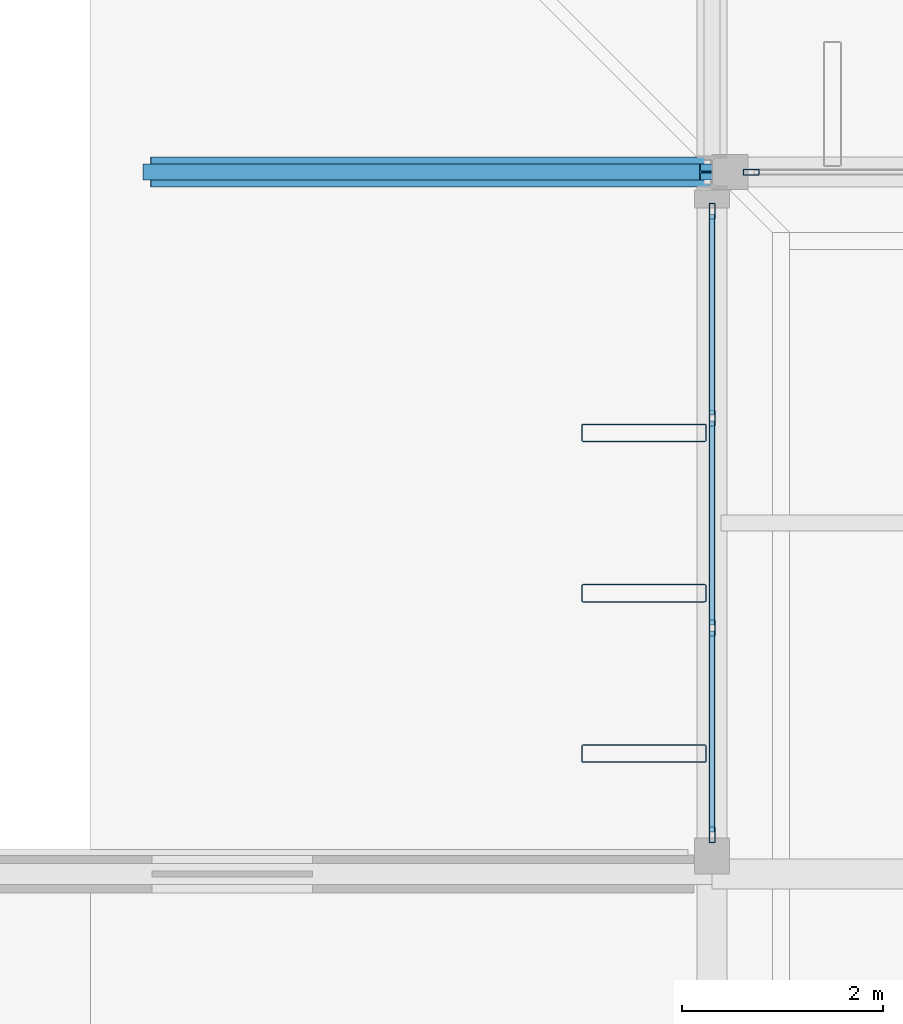
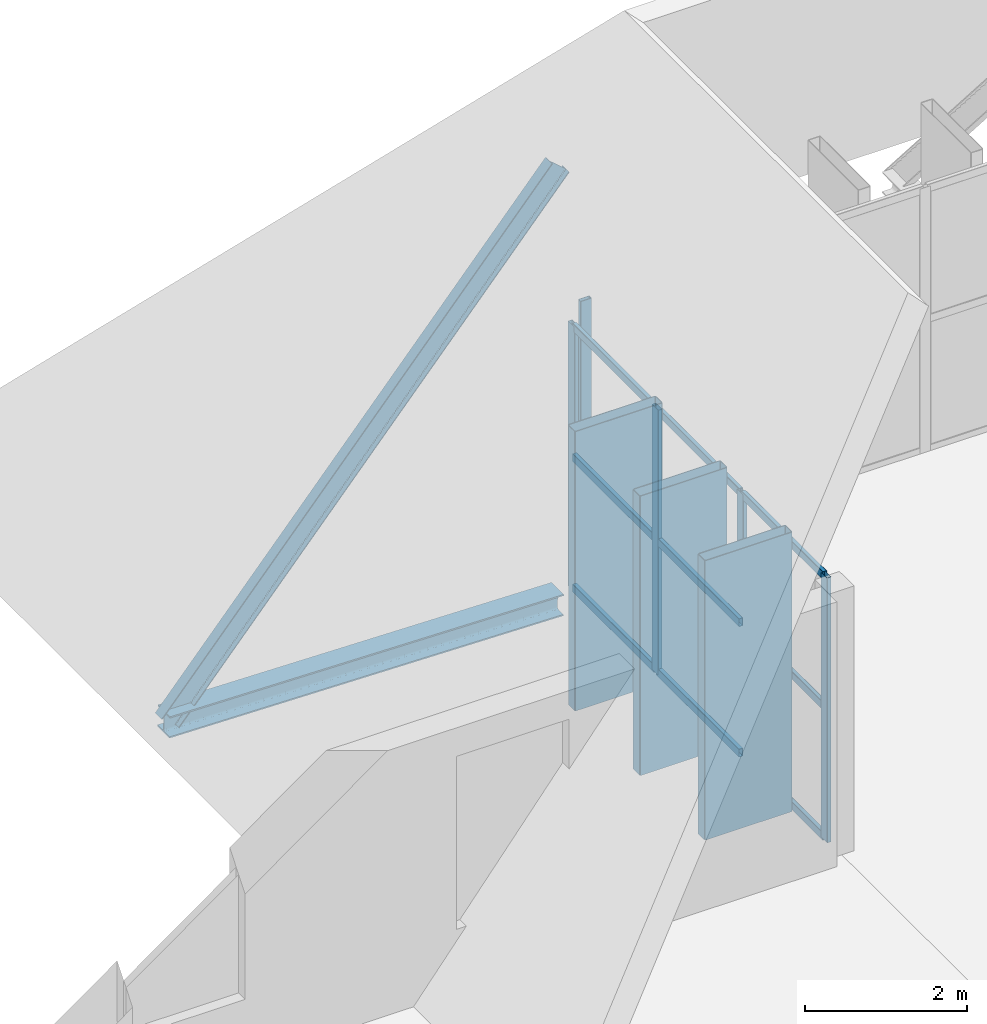
# One storey, part 23 of 93: 18 members, 1 beam, 2 elements without a shape of their own.
"""IFC4 building model written with IfcOpenShell, lengths in metres."""

import ifcopenshell
import ifcopenshell.guid

model = None  # the IFC model being written
_history = None  # IfcOwnerHistory: only IFC2X3 demands one
_inside = {}  # id of a spatial element -> (the spatial element, [elements in it])
_under = {}  # id of a project, library or spatial element -> (it, [spatial elements below it])
_declared = {}  # id of a project -> (the project, [libraries it declares])
_typed = {}  # id of a type object -> (the type object, [elements of that type])
_made_of = {}  # id of a material, layer set ... -> (it, [elements and type objects made of it])


def new_model(schema):
    """Start an empty IFC model of exactly this schema.

    Asked for "IFC4X3", IfcOpenShell would pick the latest addendum, in which some entities
    have other attributes; the version numbers below select the first issue.
    IFC2X3 requires an IfcOwnerHistory on every rooted entity: one is made here for all.
    """
    global model, _history
    if schema == "IFC4X3":
        model = ifcopenshell.file(schema_version=(4, 3, 0, 0))
    else:
        model = ifcopenshell.file(schema=schema)
    _inside.clear()
    _under.clear()
    _declared.clear()
    _typed.clear()
    _made_of.clear()
    _history = None
    if model.schema == "IFC2X3":
        org = make("IfcOrganization", Name="unknown")
        user = make(
            "IfcPersonAndOrganization",
            ThePerson=make("IfcPerson", FamilyName="unknown"),
            TheOrganization=org,
        )
        app = make(
            "IfcApplication",
            ApplicationDeveloper=org,
            Version="unknown",
            ApplicationFullName="unknown",
            ApplicationIdentifier="unknown",
        )
        _history = make(
            "IfcOwnerHistory",
            OwningUser=user,
            OwningApplication=app,
            ChangeAction="ADDED",
            CreationDate=0,
        )
    return model


def make(cls, **values):
    """One entity of the class cls with the attributes given. An attribute that is None is left unset."""
    return model.create_entity(
        cls, **{name: value for name, value in values.items() if value is not None}
    )


def rooted(cls, **values):
    """An entity with a GlobalId (a new one), such as an element, a storey or a relation."""
    return make(cls, GlobalId=ifcopenshell.guid.new(), OwnerHistory=_history, **values)


def si_unit(unit_type, name, prefix=None):
    """IfcSIUnit, for example si_unit("LENGTHUNIT", "METRE", prefix="MILLI")."""
    return make("IfcSIUnit", UnitType=unit_type, Prefix=prefix, Name=name)


def assignment(units):
    """IfcUnitAssignment: the units of a project."""
    return None if units is None else make("IfcUnitAssignment", Units=units)


def point(xyz):
    """IfcCartesianPoint."""
    return None if xyz is None else make("IfcCartesianPoint", Coordinates=xyz)


def direction(xyz):
    """IfcDirection."""
    return None if xyz is None else make("IfcDirection", DirectionRatios=xyz)


def frame(location, z_axis=None, x_axis=None):
    """IfcAxis2Placement3D, a coordinate frame: its origin and axes. An axis left out is left unset."""
    return make(
        "IfcAxis2Placement3D",
        Location=point(location),
        Axis=direction(z_axis),
        RefDirection=direction(x_axis),
    )


def frame_2d(location, x_axis=None):
    """IfcAxis2Placement2D, a coordinate frame in the plane: its origin and x axis."""
    return make(
        "IfcAxis2Placement2D", Location=point(location), RefDirection=direction(x_axis)
    )


def origin():
    """The frame at (0, 0, 0) with its axes left unset."""
    return frame((0.0, 0.0, 0.0))


def origin_2d():
    """The frame at (0, 0) in the plane with its x axis left unset."""
    return frame_2d((0.0, 0.0))


def place(relative_to, where):
    """IfcLocalPlacement: puts the frame where relative to a parent placement (None: the world)."""
    return make(
        "IfcLocalPlacement", PlacementRelTo=relative_to, RelativePlacement=where
    )


def context(
    kind, dimensions, precision=None, world=None, true_north=None, identifier=None
):
    """IfcGeometricRepresentationContext, for example the 3D "Model" context."""
    return make(
        "IfcGeometricRepresentationContext",
        ContextIdentifier=identifier,
        ContextType=kind,
        CoordinateSpaceDimension=dimensions,
        Precision=precision,
        WorldCoordinateSystem=world,
        TrueNorth=true_north,
    )


def subcontext(parent, identifier, kind, view, scale=None):
    """IfcGeometricRepresentationSubContext, for example "Body" below "Model"."""
    return make(
        "IfcGeometricRepresentationSubContext",
        ContextIdentifier=identifier,
        ContextType=kind,
        ParentContext=parent,
        TargetScale=scale,
        TargetView=view,
    )


def project(units=None, contexts=None):
    """IfcProject with its units and contexts."""
    return rooted(
        "IfcProject",
        Name="project",
        RepresentationContexts=contexts,
        UnitsInContext=assignment(units),
    )


def spatial(cls, under=None, at=None, **own):
    """A site, building, storey or space (cls), placed at a placement, below another one or the project."""
    s = rooted(cls, ObjectPlacement=at, **own)
    if under is not None:
        _under.setdefault(under.id(), (under, []))[1].append(s)
    return s


def profile(cls, at=None, kind="AREA", **sizes):
    """A parametric profile (cls). Its sizes go by their IFC names, for example OverallWidth=200.0."""
    return make(cls, ProfileType=kind, Position=at, **sizes)


def hollow_rectangle(**sizes):
    """IfcRectangleHollowProfileDef."""
    return profile("IfcRectangleHollowProfileDef", **sizes)


def i_section(**sizes):
    """IfcIShapeProfileDef."""
    return profile("IfcIShapeProfileDef", **sizes)


def extrude(swept, where, along, depth):
    """IfcExtrudedAreaSolid: the profile swept, set in the frame where, extruded along a direction by depth."""
    return make(
        "IfcExtrudedAreaSolid",
        SweptArea=swept,
        Position=where,
        ExtrudedDirection=direction(along),
        Depth=depth,
    )


def shape(context_of_items, identifier, shape_type, items):
    """IfcShapeRepresentation: the items that make up one representation, for example the "Body"."""
    return make(
        "IfcShapeRepresentation",
        ContextOfItems=context_of_items,
        RepresentationIdentifier=identifier,
        RepresentationType=shape_type,
        Items=items,
    )


def material(Name=None, Category=None):
    """IfcMaterial."""
    return make("IfcMaterial", Name=Name, Category=Category)


def layer(
    of_material, thickness, ventilated=None, Name=None, Category=None, Priority=None
):
    """IfcMaterialLayer: one layer of a wall or slab, of a material (None: an air gap)."""
    return make(
        "IfcMaterialLayer",
        Material=of_material,
        LayerThickness=thickness,
        IsVentilated=ventilated,
        Name=Name,
        Category=Category,
        Priority=Priority,
    )


def layer_set(layers, Name=None):
    """IfcMaterialLayerSet."""
    return make("IfcMaterialLayerSet", MaterialLayers=layers, LayerSetName=Name)


def material_profile(
    of_material, cross_section, Name=None, Category=None, Priority=None
):
    """IfcMaterialProfile: a cross section and its material."""
    return make(
        "IfcMaterialProfile",
        Name=Name,
        Material=of_material,
        Profile=cross_section,
        Priority=Priority,
        Category=Category,
    )


def profile_set(profiles, Name=None, composite=None):
    """IfcMaterialProfileSet."""
    return make(
        "IfcMaterialProfileSet",
        Name=Name,
        MaterialProfiles=profiles,
        CompositeProfile=composite,
    )


def made_of(thing, what):
    """Note that an element or type object is made of a material, layer set ...; save() writes the relation."""
    if what is not None:
        _made_of.setdefault(what.id(), (what, []))[1].append(thing)
    return thing


def type_object(cls, material=None, **own):
    """A type object (cls), such as IfcWallType, which elements share."""
    return made_of(rooted(cls, **own), material)


def element(
    cls,
    number,
    at=None,
    inside=None,
    cuts=None,
    type_object=None,
    material=None,
    context=None,
    identifier="Body",
    shape_type=None,
    held_by="IfcProductDefinitionShape",
    body=None,
    shapes=None,
    **own,
):
    """One element of the class cls, such as IfcWall. Its Tag is "e" and its number.

    at: its placement. inside: the storey or other place that contains it. cuts: it is an
    opening in that element (IfcRelVoidsElement). A single representation is given by context,
    identifier, shape_type and body (its items); several are given by shapes. held_by: the class
    of the entity that holds the representations. save() writes the other relations.
    """
    e = rooted(cls, Tag="e%d" % number, ObjectPlacement=at, **own)
    if body is not None:
        shapes = [shape(context, identifier, shape_type, body)]
    if shapes is not None:
        e.Representation = make(held_by, Representations=shapes)
    if inside is not None:
        _inside.setdefault(inside.id(), (inside, []))[1].append(e)
    if cuts is not None:
        rooted(
            "IfcRelVoidsElement", RelatingBuildingElement=cuts, RelatedOpeningElement=e
        )
    if type_object is not None:
        _typed.setdefault(type_object.id(), (type_object, []))[1].append(e)
    return made_of(e, material)


def aggregate(whole, parts):
    """IfcRelAggregates: a whole, such as a stair, and the parts it consists of."""
    return rooted("IfcRelAggregates", RelatingObject=whole, RelatedObjects=parts)


def save(model, path):
    """Write the relations noted so far, then the file.

    IfcRelAggregates (storeys below a building ...), IfcRelContainedInSpatialStructure (elements
    in a storey), IfcRelDefinesByType, IfcRelAssociatesMaterial and IfcRelDeclares: one each for
    every whole, place, type object, material and project.
    """
    for whole, parts in _under.values():
        aggregate(whole, parts)
    for where, things in _inside.values():
        rooted(
            "IfcRelContainedInSpatialStructure",
            RelatedElements=things,
            RelatingStructure=where,
        )
    for kind, things in _typed.values():
        rooted("IfcRelDefinesByType", RelatedObjects=things, RelatingType=kind)
    for what, things in _made_of.values():
        rooted("IfcRelAssociatesMaterial", RelatedObjects=things, RelatingMaterial=what)
    for by, libraries in _declared.values():
        rooted("IfcRelDeclares", RelatingContext=by, RelatedDefinitions=libraries)
    model.write(path)


model = new_model("IFC4")

# Units and contexts
model_context = context("Model", 3, precision=1e-05, world=origin(), true_north=direction((0.0, 1.0)))
body_context = subcontext(model_context, "Body", "Model", "MODEL_VIEW")
ifc_project = project(units=[si_unit("LENGTHUNIT", "METRE"), si_unit("AREAUNIT", "SQUARE_METRE"), si_unit("VOLUMEUNIT", "CUBIC_METRE"), si_unit("PLANEANGLEUNIT", "RADIAN"), si_unit("MASSUNIT", "GRAM", prefix="KILO")], contexts=[model_context])

# Site, building, storey
site_placement = place(None, origin())
site = spatial("IfcSite", under=ifc_project, at=site_placement, CompositionType="ELEMENT")
building_placement = place(site_placement, origin())
building = spatial("IfcBuilding", under=site, at=building_placement, Name="Vekula Escarpment Museum", CompositionType="ELEMENT")
storey_placement = place(building_placement, frame((0.0, 0.0, 22.199951171875)))
storey = spatial("IfcBuildingStorey", under=building, at=storey_placement, Name="L05", CompositionType="ELEMENT", Elevation=22.199951171875)

# Beam
ifc_material_1 = material(Name="Steel S355", Category="steel")
ifc_material_profile_1 = material_profile(ifc_material_1, i_section(OverallWidth=0.300048828125, OverallDepth=0.320068359375, WebThickness=0.011474609375, FlangeThickness=0.0205078125, FilletRadius=0.027099609375, at=origin_2d()), Name="HEB 320")
ifc_profile_set_1 = profile_set([ifc_material_profile_1], Name="Steel S355")
beam_type = type_object("IfcBeamType", Name="BM-EAVE-OUT", PredefinedType="BEAM", material=ifc_profile_set_1)
beam_placement = place(storey_placement, frame((70.0, 90.39990234375, -0.39990234375), z_axis=(-0.999770980386, 0.0, 0.021400625659), x_axis=(0.0, -1.0, 0.0)))
element("IfcBeam", 1, at=beam_placement, inside=storey, type_object=beam_type, Name="Great Hall West Eave Outrigger 90", PredefinedType="BEAM", context=body_context, shape_type="SweptSolid", body=[
    extrude(i_section(OverallWidth=0.300048828125, OverallDepth=0.320068359375, WebThickness=0.011474609375, FlangeThickness=0.0205078125, FilletRadius=0.027099609375, at=origin_2d()), origin(), (0.0, 0.0, 1.0), 5.601318359375),
])

# Curtain wall, member
ifc_material_2 = material(Name="Aluminium thermally broken framing", Category="aluminium")
ifc_layer_1 = layer(ifc_material_2, 0.159912109375)
ifc_layer_set_1 = layer_set([ifc_layer_1], Name="Aluminium thermally broken framing")
curtain_wall_type_1 = type_object("IfcCurtainWallType", Name="CW-SYS-02", PredefinedType="NOTDEFINED", material=ifc_layer_set_1)
curtain_wall_1_placement = place(storey_placement, origin())
curtain_wall_1 = element("IfcCurtainWall", 2, at=curtain_wall_1_placement, inside=storey, type_object=curtain_wall_type_1, Name="Curtain Wall CW-L05-182", PredefinedType="NOTDEFINED")
ifc_material_3 = material(Name="Aluminium anodized mullion", Category="aluminium")
ifc_material_profile_2 = material_profile(ifc_material_3, hollow_rectangle(XDim=0.06005859375, YDim=0.159912109375, WallThickness=0.00390625, InnerFilletRadius=0.00390625, OuterFilletRadius=0.008056640625, at=origin_2d()), Name="ALU 160x60x4")
ifc_profile_set_2 = profile_set([ifc_material_profile_2], Name="Aluminium anodized mullion")
member_type_1 = type_object("IfcMemberType", Name="CW-MUL-160", PredefinedType="MULLION", material=ifc_profile_set_2)
member_1_placement = place(storey_placement, frame((70.389892578125, 90.39990234375, 0.0), z_axis=(0.0, 0.0, 1.0), x_axis=(0.0, -1.0, 0.0)))
member_1 = element("IfcMember", 3, at=member_1_placement, type_object=member_type_1, Name="CW-02 mullion 4", PredefinedType="MULLION", context=body_context, shape_type="SweptSolid", body=[
    extrude(hollow_rectangle(XDim=0.06005859375, YDim=0.159912109375, WallThickness=0.00390625, InnerFilletRadius=0.00390625, OuterFilletRadius=0.008056640625, at=origin_2d()), origin(), (0.0, 0.0, 1.0), 3.97998046875),
])
aggregate(curtain_wall_1, [member_1])

# Curtain wall, members
ifc_material_4 = material(Name="Aluminium thermally broken framing", Category="aluminium")
ifc_layer_2 = layer(ifc_material_4, 0.199951171875)
ifc_layer_set_2 = layer_set([ifc_layer_2], Name="Aluminium thermally broken framing")
curtain_wall_type_2 = type_object("IfcCurtainWallType", Name="CW-SYS-03", PredefinedType="NOTDEFINED", material=ifc_layer_set_2)
curtain_wall_2_placement = place(storey_placement, origin())
curtain_wall_2 = element("IfcCurtainWall", 4, at=curtain_wall_2_placement, inside=storey, type_object=curtain_wall_type_2, Name="Curtain Wall CW-L05-183", PredefinedType="NOTDEFINED")
member_2_placement = place(storey_placement, frame((70.0, 90.010009765625, 0.0), z_axis=(0.0, 0.0, 1.0), x_axis=(1.0, 0.0, 0.0)))
member_2 = element("IfcMember", 5, at=member_2_placement, type_object=member_type_1, Name="CW-03 mullion 1", PredefinedType="MULLION", context=body_context, shape_type="SweptSolid", body=[
    extrude(hollow_rectangle(XDim=0.06005859375, YDim=0.159912109375, WallThickness=0.00390625, InnerFilletRadius=0.00390625, OuterFilletRadius=0.008056640625, at=origin_2d()), origin(), (0.0, 0.0, 1.0), 3.97998046875),
])
member_3_placement = place(storey_placement, frame((70.0, 87.94677734375, 0.0), z_axis=(0.0, 0.0, 1.0), x_axis=(1.0, 0.0, 0.0)))
member_3 = element("IfcMember", 6, at=member_3_placement, type_object=member_type_1, Name="CW-03 mullion 2", PredefinedType="MULLION", context=body_context, shape_type="SweptSolid", body=[
    extrude(hollow_rectangle(XDim=0.06005859375, YDim=0.159912109375, WallThickness=0.00390625, InnerFilletRadius=0.00390625, OuterFilletRadius=0.008056640625, at=origin_2d()), origin(), (0.0, 0.0, 1.0), 3.97998046875),
])
member_4_placement = place(storey_placement, frame((70.0, 85.853271484375, 0.0), z_axis=(0.0, 0.0, 1.0), x_axis=(1.0, 0.0, 0.0)))
member_4 = element("IfcMember", 7, at=member_4_placement, type_object=member_type_1, Name="CW-03 mullion 3", PredefinedType="MULLION", context=body_context, shape_type="SweptSolid", body=[
    extrude(hollow_rectangle(XDim=0.06005859375, YDim=0.159912109375, WallThickness=0.00390625, InnerFilletRadius=0.00390625, OuterFilletRadius=0.008056640625, at=origin_2d()), origin(), (0.0, 0.0, 1.0), 3.97998046875),
])
member_5_placement = place(storey_placement, frame((70.0, 83.7900390625, 0.0), z_axis=(0.0, 0.0, 1.0), x_axis=(1.0, 0.0, 0.0)))
member_5 = element("IfcMember", 8, at=member_5_placement, type_object=member_type_1, Name="CW-03 mullion 4", PredefinedType="MULLION", context=body_context, shape_type="SweptSolid", body=[
    extrude(hollow_rectangle(XDim=0.06005859375, YDim=0.159912109375, WallThickness=0.00390625, InnerFilletRadius=0.00390625, OuterFilletRadius=0.008056640625, at=origin_2d()), origin(), (0.0, 0.0, 1.0), 3.97998046875),
])
ifc_material_5 = material(Name="Aluminium anodized transom", Category="aluminium")
ifc_material_profile_3 = material_profile(ifc_material_5, hollow_rectangle(XDim=0.06005859375, YDim=0.1201171875, WallThickness=0.00390625, InnerFilletRadius=0.00390625, OuterFilletRadius=0.008056640625, at=origin_2d()), Name="ALU 120x60x4")
ifc_profile_set_3 = profile_set([ifc_material_profile_3], Name="Aluminium anodized transom")
member_type_2 = type_object("IfcMemberType", Name="CW-TRN-120", PredefinedType="USERDEFINED", material=ifc_profile_set_3)
member_6_placement = place(storey_placement, frame((70.0, 89.97998046875, 0.030029296875), z_axis=(0.0, -1.0, 0.0), x_axis=(1.0, 0.0, 0.0)))
member_6 = element("IfcMember", 9, at=member_6_placement, type_object=member_type_2, Name="CW-03 transom 1.1", ObjectType="TRANSOM", PredefinedType="USERDEFINED", context=body_context, shape_type="SweptSolid", body=[
    extrude(hollow_rectangle(XDim=0.06005859375, YDim=0.1201171875, WallThickness=0.00390625, InnerFilletRadius=0.00390625, OuterFilletRadius=0.008056640625, at=origin_2d()), origin(), (0.0, 0.0, 1.0), 2.00341796875),
])
member_7_placement = place(storey_placement, frame((70.0, 89.97998046875, 1.989990234375), z_axis=(0.0, -1.0, 0.0), x_axis=(1.0, 0.0, 0.0)))
member_7 = element("IfcMember", 10, at=member_7_placement, type_object=member_type_2, Name="CW-03 transom 1.2", ObjectType="TRANSOM", PredefinedType="USERDEFINED", context=body_context, shape_type="SweptSolid", body=[
    extrude(hollow_rectangle(XDim=0.06005859375, YDim=0.1201171875, WallThickness=0.00390625, InnerFilletRadius=0.00390625, OuterFilletRadius=0.008056640625, at=origin_2d()), origin(), (0.0, 0.0, 1.0), 2.00341796875),
])
member_8_placement = place(storey_placement, frame((70.0, 89.97998046875, 3.949951171875), z_axis=(0.0, -1.0, 0.0), x_axis=(1.0, 0.0, 0.0)))
member_8 = element("IfcMember", 11, at=member_8_placement, type_object=member_type_2, Name="CW-03 transom 1.3", ObjectType="TRANSOM", PredefinedType="USERDEFINED", context=body_context, shape_type="SweptSolid", body=[
    extrude(hollow_rectangle(XDim=0.06005859375, YDim=0.1201171875, WallThickness=0.00390625, InnerFilletRadius=0.00390625, OuterFilletRadius=0.008056640625, at=origin_2d()), origin(), (0.0, 0.0, 1.0), 2.00341796875),
])
member_9_placement = place(storey_placement, frame((70.0, 87.916748046875, 0.030029296875), z_axis=(0.0, -1.0, 0.0), x_axis=(1.0, 0.0, 0.0)))
member_9 = element("IfcMember", 12, at=member_9_placement, type_object=member_type_2, Name="CW-03 transom 2.1", ObjectType="TRANSOM", PredefinedType="USERDEFINED", context=body_context, shape_type="SweptSolid", body=[
    extrude(hollow_rectangle(XDim=0.06005859375, YDim=0.1201171875, WallThickness=0.00390625, InnerFilletRadius=0.00390625, OuterFilletRadius=0.008056640625, at=origin_2d()), origin(), (0.0, 0.0, 1.0), 2.033447265625),
])
member_10_placement = place(storey_placement, frame((70.0, 87.916748046875, 1.989990234375), z_axis=(0.0, -1.0, 0.0), x_axis=(1.0, 0.0, 0.0)))
member_10 = element("IfcMember", 13, at=member_10_placement, type_object=member_type_2, Name="CW-03 transom 2.2", ObjectType="TRANSOM", PredefinedType="USERDEFINED", context=body_context, shape_type="SweptSolid", body=[
    extrude(hollow_rectangle(XDim=0.06005859375, YDim=0.1201171875, WallThickness=0.00390625, InnerFilletRadius=0.00390625, OuterFilletRadius=0.008056640625, at=origin_2d()), origin(), (0.0, 0.0, 1.0), 2.033447265625),
])
member_11_placement = place(storey_placement, frame((70.0, 87.916748046875, 3.949951171875), z_axis=(0.0, -1.0, 0.0), x_axis=(1.0, 0.0, 0.0)))
member_11 = element("IfcMember", 14, at=member_11_placement, type_object=member_type_2, Name="CW-03 transom 2.3", ObjectType="TRANSOM", PredefinedType="USERDEFINED", context=body_context, shape_type="SweptSolid", body=[
    extrude(hollow_rectangle(XDim=0.06005859375, YDim=0.1201171875, WallThickness=0.00390625, InnerFilletRadius=0.00390625, OuterFilletRadius=0.008056640625, at=origin_2d()), origin(), (0.0, 0.0, 1.0), 2.033447265625),
])
member_12_placement = place(storey_placement, frame((70.0, 85.8232421875, 0.030029296875), z_axis=(0.0, -1.0, 0.0), x_axis=(1.0, 0.0, 0.0)))
member_12 = element("IfcMember", 15, at=member_12_placement, type_object=member_type_2, Name="CW-03 transom 3.1", ObjectType="TRANSOM", PredefinedType="USERDEFINED", context=body_context, shape_type="SweptSolid", body=[
    extrude(hollow_rectangle(XDim=0.06005859375, YDim=0.1201171875, WallThickness=0.00390625, InnerFilletRadius=0.00390625, OuterFilletRadius=0.008056640625, at=origin_2d()), origin(), (0.0, 0.0, 1.0), 2.003173828125),
])
member_13_placement = place(storey_placement, frame((70.0, 85.8232421875, 1.989990234375), z_axis=(0.0, -1.0, 0.0), x_axis=(1.0, 0.0, 0.0)))
member_13 = element("IfcMember", 16, at=member_13_placement, type_object=member_type_2, Name="CW-03 transom 3.2", ObjectType="TRANSOM", PredefinedType="USERDEFINED", context=body_context, shape_type="SweptSolid", body=[
    extrude(hollow_rectangle(XDim=0.06005859375, YDim=0.1201171875, WallThickness=0.00390625, InnerFilletRadius=0.00390625, OuterFilletRadius=0.008056640625, at=origin_2d()), origin(), (0.0, 0.0, 1.0), 2.003173828125),
])
member_14_placement = place(storey_placement, frame((70.0, 85.8232421875, 3.949951171875), z_axis=(0.0, -1.0, 0.0), x_axis=(1.0, 0.0, 0.0)))
member_14 = element("IfcMember", 17, at=member_14_placement, type_object=member_type_2, Name="CW-03 transom 3.3", ObjectType="TRANSOM", PredefinedType="USERDEFINED", context=body_context, shape_type="SweptSolid", body=[
    extrude(hollow_rectangle(XDim=0.06005859375, YDim=0.1201171875, WallThickness=0.00390625, InnerFilletRadius=0.00390625, OuterFilletRadius=0.008056640625, at=origin_2d()), origin(), (0.0, 0.0, 1.0), 2.003173828125),
])
aggregate(curtain_wall_2, [member_2, member_3, member_4, member_5, member_6, member_7, member_8, member_9, member_10, member_11, member_12, member_13, member_14])

# Members
ifc_material_6 = material(Name="Steel S355", Category="steel")
ifc_material_profile_4 = material_profile(ifc_material_6, i_section(OverallWidth=0.159912109375, OverallDepth=0.330078125, WebThickness=0.007568359375, FlangeThickness=0.011474609375, FilletRadius=0.01806640625, at=origin_2d()), Name="IPE 330")
ifc_profile_set_4 = profile_set([ifc_material_profile_4], Name="Steel S355")
member_type_3 = type_object("IfcMemberType", Name="MB-SKIRT-RAFTER", PredefinedType="CHORD", material=ifc_profile_set_4)
member_15_placement = place(storey_placement, frame((64.449951171875, 90.39990234375, -0.280029296875), z_axis=(0.654565426105, 0.0, 0.756005359073), x_axis=(0.0, 1.0, 0.0)))
element("IfcMember", 18, at=member_15_placement, inside=storey, type_object=member_type_3, Name="Truncated-Hip Rafter West 90", PredefinedType="CHORD", context=body_context, shape_type="SweptSolid", body=[
    extrude(i_section(OverallWidth=0.159912109375, OverallDepth=0.330078125, WebThickness=0.007568359375, FlangeThickness=0.011474609375, FilletRadius=0.01806640625, at=origin_2d()), origin(), (0.0, 0.0, 1.0), 8.47900390625),
])
ifc_material_7 = material(Name="Steel S355 weathered bronze solar fin", Category="steel")
ifc_material_profile_5 = material_profile(ifc_material_7, hollow_rectangle(XDim=0.179931640625, YDim=1.25, WallThickness=0.010009765625, InnerFilletRadius=0.010009765625, OuterFilletRadius=0.02001953125, at=origin_2d()), Name="RHS 1250x180x10")
ifc_profile_set_5 = profile_set([ifc_material_profile_5], Name="Steel S355 weathered bronze solar fin")
member_type_4 = type_object("IfcMemberType", Name="MB-SOLAR-FIN", PredefinedType="USERDEFINED", material=ifc_profile_set_5)
for number, where, z_axis, x_axis, name in (
    (19, (69.320068359375, 84.60009765625, 0.0), (0.0, 0.0, 1.0), (0.0, 1.0, 0.0), "Great Hall Vertical Solar Fin 0340"),
    (20, (69.320068359375, 86.199951171875, 0.0), (0.0, 0.0, 1.0), (0.0, 1.0, 0.0), "Great Hall Vertical Solar Fin 0345"),
    (21, (69.320068359375, 87.800048828125, 0.0), (0.0, 0.0, 1.0), (0.0, 1.0, 0.0), "Great Hall Vertical Solar Fin 0350"),
):
    element("IfcMember", number, at=place(storey_placement, frame(where, z_axis=z_axis, x_axis=x_axis)), inside=storey, type_object=member_type_4, Name=name, ObjectType="SOLAR FIN", PredefinedType="USERDEFINED", context=body_context, shape_type="SweptSolid", body=[
        extrude(hollow_rectangle(XDim=0.179931640625, YDim=1.25, WallThickness=0.010009765625, InnerFilletRadius=0.010009765625, OuterFilletRadius=0.02001953125, at=origin_2d()), origin(), (0.0, 0.0, 1.0), 4.199951171875),
    ])

save(model, "model.ifc")
